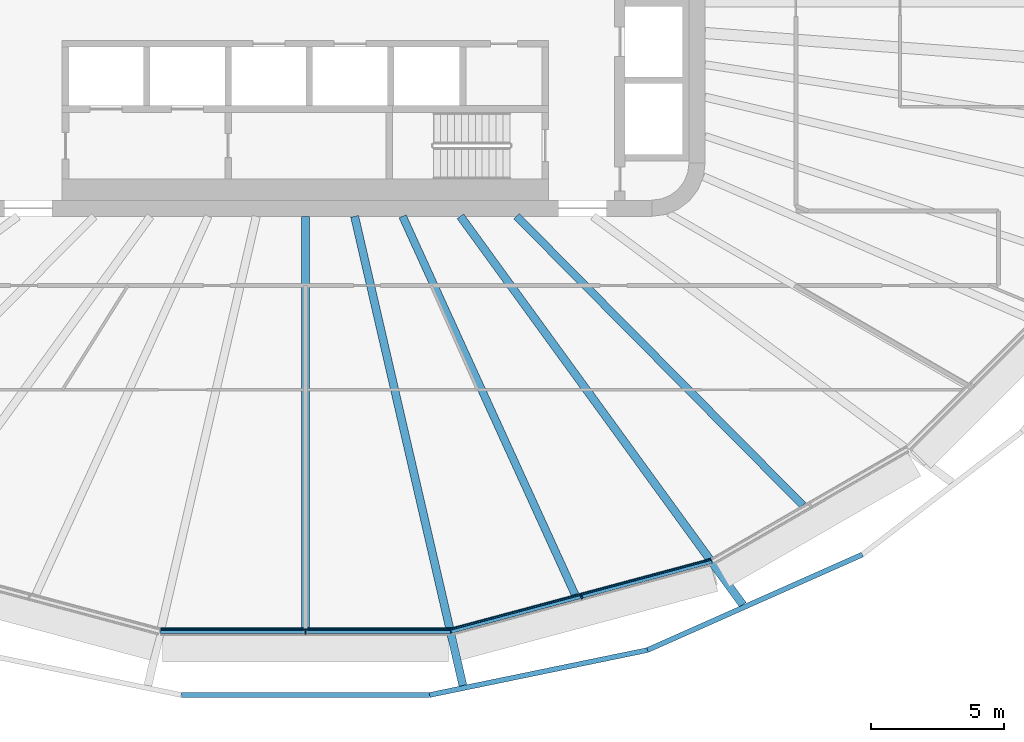
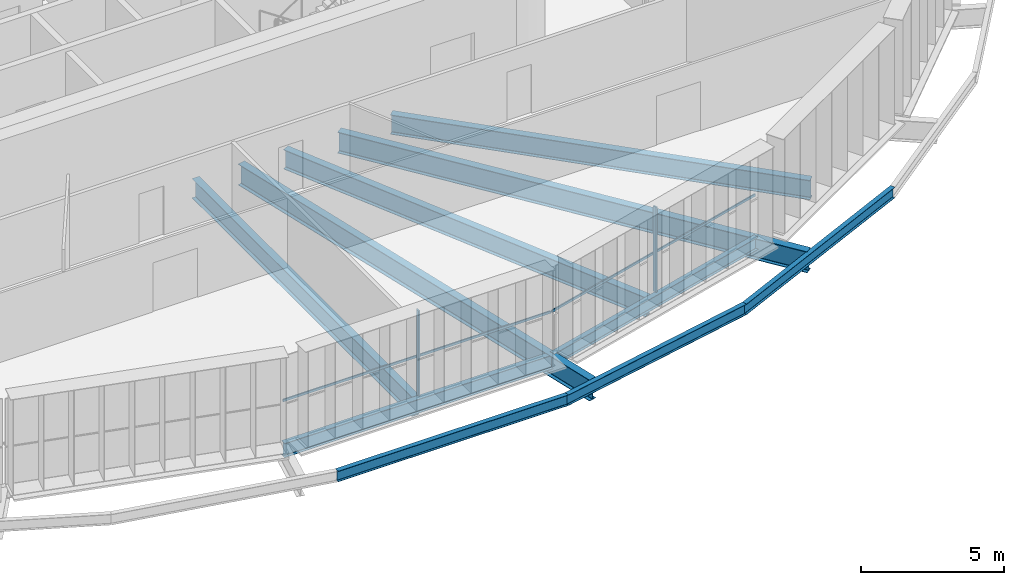
# One storey, part 4 of 25: 10 beams, 4 members, 2 elements without a shape of their own.
"""IFC4 building model written with IfcOpenShell, lengths in metres."""

from ifc_helpers import new_model, si_unit, direction, frame, origin, origin_2d, place, context, subcontext, project, spatial, rectangle, i_section, extrude, material, layer, layer_set, material_profile, profile_set, type_object, element, aggregate, save


model = new_model("IFC4")

# Units and contexts
model_context = context("Model", 3, precision=1e-05, world=origin(), true_north=direction((0.0, 1.0)))
body_context = subcontext(model_context, "Body", "Model", "MODEL_VIEW")
ifc_project = project(units=[si_unit("LENGTHUNIT", "METRE"), si_unit("AREAUNIT", "SQUARE_METRE"), si_unit("VOLUMEUNIT", "CUBIC_METRE"), si_unit("PLANEANGLEUNIT", "RADIAN"), si_unit("MASSUNIT", "GRAM", prefix="KILO")], contexts=[model_context])

# Site, building, storey
site_placement = place(None, origin())
site = spatial("IfcSite", under=ifc_project, at=site_placement, CompositionType="ELEMENT")
building_placement = place(site_placement, origin())
building = spatial("IfcBuilding", under=site, at=building_placement, Name="Sahrelin Media Tower", CompositionType="ELEMENT")
storey_placement = place(building_placement, frame((0.0, 0.0, 139.800048828125)))
storey = spatial("IfcBuildingStorey", under=building, at=storey_placement, Name="L28", CompositionType="ELEMENT", Elevation=139.800048828125)

# Beams
ifc_material_1 = material(Name="Steel S355", Category="steel")
ifc_material_profile_1 = material_profile(ifc_material_1, i_section(OverallWidth=0.208740234375, OverallDepth=0.5283203125, WebThickness=0.009521484375, FlangeThickness=0.01318359375, FilletRadius=0.0126953125, at=origin_2d()), Name="UB 533x210x82")
ifc_profile_set_1 = profile_set([ifc_material_profile_1], Name="Steel S355")
beam_type_1 = type_object("IfcBeamType", Name="Edge beam EB6", PredefinedType="BEAM", material=ifc_profile_set_1)
beam_1_placement = place(storey_placement, frame((15.23779296875, -20.9228515625, -0.4140625), z_axis=(-0.96592349726, -0.258827737002, 0.0), x_axis=(0.258827737002, -0.96592349726, 0.0)))
element("IfcBeam", 1, at=beam_1_placement, inside=storey, type_object=beam_type_1, Name="Edge beam L28-06", PredefinedType="BEAM", context=body_context, shape_type="SweptSolid", body=[
    extrude(i_section(OverallWidth=0.208740234375, OverallDepth=0.5283203125, WebThickness=0.009521484375, FlangeThickness=0.01318359375, FilletRadius=0.0126953125, at=origin_2d()), origin(), (0.0, 0.0, 1.0), 10.119140625),
])
ifc_material_profile_2 = material_profile(ifc_material_1, i_section(OverallWidth=0.2275390625, OverallDepth=0.6025390625, WebThickness=0.010498046875, FlangeThickness=0.014892578125, FilletRadius=0.0126953125, at=origin_2d()), Name="UB 610x229x101")
ifc_profile_set_2 = profile_set([ifc_material_profile_2], Name="Steel S355")
beam_type_2 = type_object("IfcBeamType", Name="Edge beam EB7", PredefinedType="BEAM", material=ifc_profile_set_2)
beam_2_placement = place(storey_placement, frame((5.434814453125, -23.545654296875, -0.451416015625), z_axis=(-1.0, 0.0, 0.0), x_axis=(0.0, -1.0, 0.0)))
element("IfcBeam", 2, at=beam_2_placement, inside=storey, type_object=beam_type_2, Name="Edge beam L28-07", PredefinedType="BEAM", context=body_context, shape_type="SweptSolid", body=[
    extrude(i_section(OverallWidth=0.2275390625, OverallDepth=0.6025390625, WebThickness=0.010498046875, FlangeThickness=0.014892578125, FilletRadius=0.0126953125, at=origin_2d()), origin(), (0.0, 0.0, 1.0), 10.86962890625),
])

# Curtain wall, member
ifc_material_2 = material(Name="Champagne anodised aluminium 6063-T6", Category="aluminium")
ifc_layer = layer(ifc_material_2, 0.14990234375)
ifc_layer_set = layer_set([ifc_layer], Name="Tower ribbon curtain wall")
curtain_wall_type = type_object("IfcCurtainWallType", Name="Tower ribbon curtain wall", PredefinedType="NOTDEFINED", material=ifc_layer_set)
curtain_wall_1_placement = place(storey_placement, frame((0.0, -23.69580078125, 0.0), z_axis=(0.0, 0.0, 1.0), x_axis=(1.0, 0.0, 0.0)))
curtain_wall_1 = element("IfcCurtainWall", 3, at=curtain_wall_1_placement, inside=storey, type_object=curtain_wall_type, Name="L28:CW:L28-18", PredefinedType="NOTDEFINED")
ifc_material_profile_3 = material_profile(ifc_material_2, rectangle(XDim=0.06005859375, YDim=0.14990234375, at=origin_2d()), Name="Mullion 60x150")
ifc_profile_set_3 = profile_set([ifc_material_profile_3], Name="Champagne anodised aluminium 6063-T6")
member_type_1 = type_object("IfcMemberType", Name="Mullion 60x150 CW1", PredefinedType="MULLION", material=ifc_profile_set_3)
member_1_placement = place(storey_placement, frame((0.0, -23.6005859375, 0.0), z_axis=(0.0, 0.0, 1.0), x_axis=(1.0, 0.0, 0.0)))
member_1 = element("IfcMember", 4, at=member_1_placement, type_object=member_type_1, Name="L28:CWM:L28-18", PredefinedType="MULLION", context=body_context, shape_type="SweptSolid", body=[
    extrude(rectangle(XDim=0.06005859375, YDim=0.14990234375, at=origin_2d()), origin(), (0.0, 0.0, 1.0), 3.6484375),
])

curtain_wall_2_placement = place(storey_placement, frame((10.389404296875, -22.377197265625, 0.0), z_axis=(0.0, 0.0, 1.0), x_axis=(1.0, 0.0, 0.0)))
curtain_wall_2 = element("IfcCurtainWall", 5, at=curtain_wall_2_placement, inside=storey, type_object=curtain_wall_type, Name="L28:CW:L28-19", PredefinedType="NOTDEFINED")
member_2_placement = place(storey_placement, frame((10.364990234375, -22.285400390625, 0.0), z_axis=(0.0, 0.0, 1.0), x_axis=(0.965925826289, 0.258819045103, 0.0)))
member_2 = element("IfcMember", 6, at=member_2_placement, type_object=member_type_1, Name="L28:CWM:L28-19", PredefinedType="MULLION", context=body_context, shape_type="SweptSolid", body=[
    extrude(rectangle(XDim=0.06005859375, YDim=0.14990234375, at=origin_2d()), origin(), (0.0, 0.0, 1.0), 3.6484375),
])

# Beams
ifc_material_profile_4 = material_profile(ifc_material_1, i_section(OverallWidth=0.30322265625, OverallDepth=0.903076171875, WebThickness=0.01513671875, FlangeThickness=0.020263671875, FilletRadius=0.01904296875, at=origin_2d()), Name="UB 914x305x201")
ifc_profile_set_4 = profile_set([ifc_material_profile_4], Name="Steel S355")
beam_type_3 = type_object("IfcBeamType", Name="Radial primary beam PB11", PredefinedType="BEAM", material=ifc_profile_set_4)
beam_3_placement = place(storey_placement, frame((1.846435546875, -8.0, -0.6015625), z_axis=(0.224893056719, -0.974383452774, 0.0), x_axis=(0.974383452774, 0.224893056719, 0.0)))
element("IfcBeam", 7, at=beam_3_placement, inside=storey, type_object=beam_type_3, Name="Radial beam L28-19", PredefinedType="BEAM", context=body_context, shape_type="SweptSolid", body=[
    extrude(i_section(OverallWidth=0.30322265625, OverallDepth=0.903076171875, WebThickness=0.01513671875, FlangeThickness=0.020263671875, FilletRadius=0.01904296875, at=origin_2d()), origin(), (0.0, 0.0, 1.0), 18.069580078125),
])
beam_4_placement = place(storey_placement, frame((5.81591796875, -8.0, -0.6015625), z_axis=(0.588033974644, -0.80883622858, 0.0), x_axis=(0.80883622858, 0.588033974644, 0.0)))
element("IfcBeam", 8, at=beam_4_placement, inside=storey, type_object=beam_type_3, Name="Radial beam L28-20", PredefinedType="BEAM", context=body_context, shape_type="SweptSolid", body=[
    extrude(i_section(OverallWidth=0.30322265625, OverallDepth=0.903076171875, WebThickness=0.01513671875, FlangeThickness=0.020263671875, FilletRadius=0.01904296875, at=origin_2d()), origin(), (0.0, 0.0, 1.0), 18.025146484375),
])
ifc_material_profile_5 = material_profile(ifc_material_1, i_section(OverallWidth=0.291748046875, OverallDepth=0.8349609375, WebThickness=0.013916015625, FlangeThickness=0.018798828125, FilletRadius=0.017822265625, at=origin_2d()), Name="UB 838x292x176")
ifc_profile_set_5 = profile_set([ifc_material_profile_5], Name="Steel S355")
beam_type_4 = type_object("IfcBeamType", Name="Radial secondary beam SB10", PredefinedType="BEAM", material=ifc_profile_set_5)
beam_5_placement = place(storey_placement, frame((0.0, -8.0, -0.5673828125), z_axis=(0.0, -1.0, 0.0), x_axis=(1.0, 0.0, 0.0)))
element("IfcBeam", 9, at=beam_5_placement, inside=storey, type_object=beam_type_4, Name="Secondary beam L28-18", PredefinedType="BEAM", context=body_context, shape_type="SweptSolid", body=[
    extrude(i_section(OverallWidth=0.291748046875, OverallDepth=0.8349609375, WebThickness=0.013916015625, FlangeThickness=0.018798828125, FilletRadius=0.017822265625, at=origin_2d()), origin(), (0.0, 0.0, 1.0), 15.431884765625),
])
beam_6_placement = place(storey_placement, frame((3.64697265625, -8.0, -0.5673828125), z_axis=(0.414807797457, -0.909909056538, 0.0), x_axis=(0.909909056538, 0.414807797457, 0.0)))
element("IfcBeam", 10, at=beam_6_placement, inside=storey, type_object=beam_type_4, Name="Secondary beam L28-19", PredefinedType="BEAM", context=body_context, shape_type="SweptSolid", body=[
    extrude(i_section(OverallWidth=0.291748046875, OverallDepth=0.8349609375, WebThickness=0.013916015625, FlangeThickness=0.018798828125, FilletRadius=0.017822265625, at=origin_2d()), origin(), (0.0, 0.0, 1.0), 15.59228515625),
])
beam_7_placement = place(storey_placement, frame((7.92578125, -8.0, -0.5673828125), z_axis=(0.703794822352, -0.710403299563, 0.0), x_axis=(0.710403299563, 0.703794822352, 0.0)))
element("IfcBeam", 11, at=beam_7_placement, inside=storey, type_object=beam_type_4, Name="Secondary beam L28-20", PredefinedType="BEAM", context=body_context, shape_type="SweptSolid", body=[
    extrude(i_section(OverallWidth=0.291748046875, OverallDepth=0.8349609375, WebThickness=0.013916015625, FlangeThickness=0.018798828125, FilletRadius=0.017822265625, at=origin_2d()), origin(), (0.0, 0.0, 1.0), 15.257568359375),
])
ifc_material_profile_6 = material_profile(ifc_material_1, i_section(OverallWidth=0.1904296875, OverallDepth=0.45703125, WebThickness=0.009033203125, FlangeThickness=0.014404296875, FilletRadius=0.01025390625, at=origin_2d()), Name="UB 457x191x74")
ifc_profile_set_6 = profile_set([ifc_material_profile_6], Name="Steel S355")
beam_type_5 = type_object("IfcBeamType", Name="Tie chord TC5", PredefinedType="BEAM", material=ifc_profile_set_6)
beam_8_placement = place(storey_placement, frame((-4.65869140625, -25.9619140625, -0.378662109375), z_axis=(1.0, 0.0, 0.0), x_axis=(0.0, 1.0, 0.0)))
element("IfcBeam", 12, at=beam_8_placement, inside=storey, type_object=beam_type_5, Name="Tie chord L28-18", PredefinedType="BEAM", context=body_context, shape_type="SweptSolid", body=[
    extrude(i_section(OverallWidth=0.1904296875, OverallDepth=0.45703125, WebThickness=0.009033203125, FlangeThickness=0.014404296875, FilletRadius=0.01025390625, at=origin_2d()), origin(), (0.0, 0.0, 1.0), 9.3173828125),
])
beam_9_placement = place(storey_placement, frame((4.65869140625, -25.9619140625, -0.378662109375), z_axis=(0.979388144388, 0.201987283341, 0.0), x_axis=(-0.201987283341, 0.979388144388, 0.0)))
element("IfcBeam", 13, at=beam_9_placement, inside=storey, type_object=beam_type_5, Name="Tie chord L28-19", PredefinedType="BEAM", context=body_context, shape_type="SweptSolid", body=[
    extrude(i_section(OverallWidth=0.1904296875, OverallDepth=0.45703125, WebThickness=0.009033203125, FlangeThickness=0.014404296875, FilletRadius=0.01025390625, at=origin_2d()), origin(), (0.0, 0.0, 1.0), 8.343505859375),
])
beam_10_placement = place(storey_placement, frame((12.830322265625, -24.276611328125, -0.378662109375), z_axis=(0.913829789839, 0.406097420827, 0.0), x_axis=(-0.406097420827, 0.913829789839, 0.0)))
element("IfcBeam", 14, at=beam_10_placement, inside=storey, type_object=beam_type_5, Name="Tie chord L28-20", PredefinedType="BEAM", context=body_context, shape_type="SweptSolid", body=[
    extrude(i_section(OverallWidth=0.1904296875, OverallDepth=0.45703125, WebThickness=0.009033203125, FlangeThickness=0.014404296875, FilletRadius=0.01025390625, at=origin_2d()), origin(), (0.0, 0.0, 1.0), 8.830322265625),
])

# Member
ifc_material_profile_7 = material_profile(ifc_material_2, rectangle(XDim=0.050048828125, YDim=0.10009765625, at=origin_2d()), Name="Transom 50x100")
ifc_profile_set_7 = profile_set([ifc_material_profile_7], Name="Champagne anodised aluminium 6063-T6")
member_type_2 = type_object("IfcMemberType", Name="Transom 50x100 CW1", PredefinedType="USERDEFINED", material=ifc_profile_set_7)
member_3_placement = place(storey_placement, frame((-5.419189453125, -23.500732421875, 1.599853515625), z_axis=(1.0, 0.0, 0.0), x_axis=(0.0, 1.0, 0.0)))
member_3 = element("IfcMember", 15, at=member_3_placement, type_object=member_type_2, Name="L28:CWT:L28-18", ObjectType="TRANSOM", PredefinedType="USERDEFINED", context=body_context, shape_type="SweptSolid", body=[
    extrude(rectangle(XDim=0.050048828125, YDim=0.10009765625, at=origin_2d()), origin(), (0.0, 0.0, 1.0), 10.83837890625),
])

aggregate(curtain_wall_1, [member_1, member_3])

member_4_placement = place(storey_placement, frame((5.466796875, -23.494384765625, 1.599853515625), z_axis=(0.965928174808, 0.258810280151, 0.0), x_axis=(-0.258810280151, 0.965928174808, 0.0)))
member_4 = element("IfcMember", 16, at=member_4_placement, type_object=member_type_2, Name="L28:CWT:L28-19", ObjectType="TRANSOM", PredefinedType="USERDEFINED", context=body_context, shape_type="SweptSolid", body=[
    extrude(rectangle(XDim=0.050048828125, YDim=0.10009765625, at=origin_2d()), origin(), (0.0, 0.0, 1.0), 10.087890625),
])

aggregate(curtain_wall_2, [member_2, member_4])

save(model, "model.ifc")
